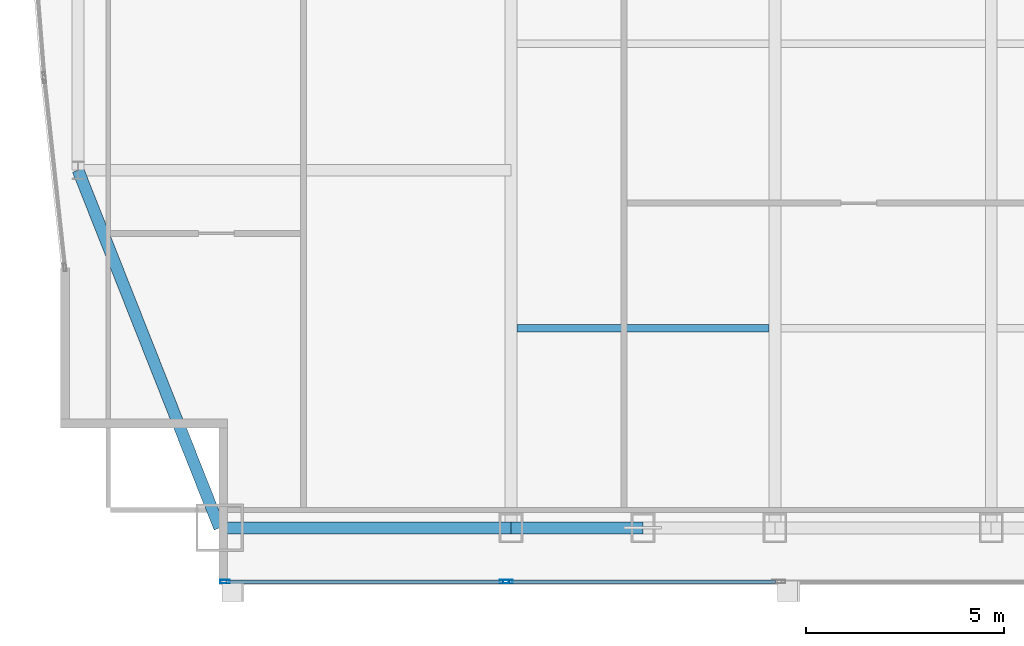
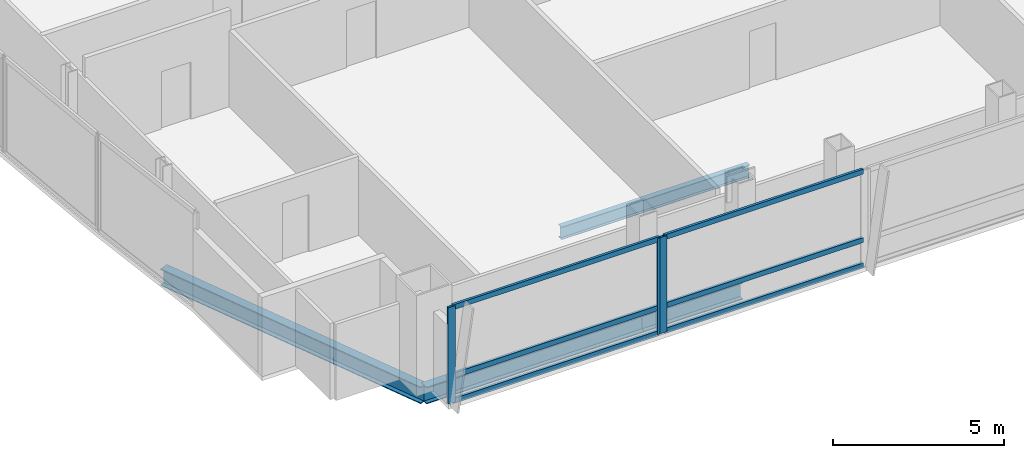
# One storey, part 5 of 32: 9 members, 4 beams, 2 elements without a shape of their own.
"""IFC4 building model written with IfcOpenShell, lengths in metres."""

from ifc_helpers import new_model, si_unit, direction, frame, origin, origin_2d, place, context, subcontext, project, spatial, hollow_rectangle, i_section, extrude, material, material_profile, profile_set, type_object, element, aggregate, save


model = new_model("IFC4")

# Units and contexts
model_context = context("Model", 3, precision=1e-05, world=origin(), true_north=direction((0.0, 1.0)))
body_context = subcontext(model_context, "Body", "Model", "MODEL_VIEW")
ifc_project = project(units=[si_unit("LENGTHUNIT", "METRE"), si_unit("AREAUNIT", "SQUARE_METRE"), si_unit("VOLUMEUNIT", "CUBIC_METRE"), si_unit("PLANEANGLEUNIT", "RADIAN"), si_unit("MASSUNIT", "GRAM", prefix="KILO")], contexts=[model_context])

# Site, building, storey
site_placement = place(None, origin())
site = spatial("IfcSite", under=ifc_project, at=site_placement, CompositionType="ELEMENT")
building_placement = place(site_placement, origin())
building = spatial("IfcBuilding", under=site, at=building_placement, Name="Khoronbel Lancet Exchange", CompositionType="ELEMENT")
storey_placement = place(building_placement, frame((0.0, 0.0, 195.800048828125)))
storey = spatial("IfcBuildingStorey", under=building, at=storey_placement, Name="L49", CompositionType="ELEMENT", Elevation=195.800048828125)

# Beams
ifc_material_1 = material(Name="Steel S355", Category="steel")
ifc_material_profile_1 = material_profile(ifc_material_1, i_section(OverallWidth=0.18994140625, OverallDepth=0.449951171875, WebThickness=0.009521484375, FlangeThickness=0.0146484375, at=origin_2d()), Name="IPE 450")
ifc_profile_set_1 = profile_set([ifc_material_profile_1], Name="Steel S355")
beam_type_1 = type_object("IfcBeamType", Name="BM-BJ4", PredefinedType="JOIST", material=ifc_profile_set_1)
beam_1_placement = place(storey_placement, frame((18.375, 15.199951171875, -0.385009765625), z_axis=(1.0, 0.0, 0.0), x_axis=(0.0, 1.0, 0.0)))
element("IfcBeam", 1, at=beam_1_placement, inside=storey, type_object=beam_type_1, Name="Level L49 secondary composite joist J01", PredefinedType="JOIST", context=body_context, shape_type="SweptSolid", body=[
    extrude(i_section(OverallWidth=0.18994140625, OverallDepth=0.449951171875, WebThickness=0.009521484375, FlangeThickness=0.0146484375, at=origin_2d()), origin(), (0.0, 0.0, 1.0), 6.375),
])
ifc_material_profile_2 = material_profile(ifc_material_1, i_section(OverallWidth=0.300048828125, OverallDepth=0.60009765625, WebThickness=0.015380859375, FlangeThickness=0.030029296875, at=origin_2d()), Name="HEB 600")
ifc_profile_set_2 = profile_set([ifc_material_profile_2], Name="Steel S355")
beam_type_2 = type_object("IfcBeamType", Name="BM-BSP2", PredefinedType="SPANDREL", material=ifc_profile_set_2)
beam_2_placement = place(storey_placement, frame((10.85009765625, 10.14990234375, -0.4599609375), z_axis=(1.0, 0.0, 0.0), x_axis=(0.0, 1.0, 0.0)))
element("IfcBeam", 2, at=beam_2_placement, inside=storey, type_object=beam_type_2, Name="Level L49 perimeter spandrel beam SP01", PredefinedType="SPANDREL", context=body_context, shape_type="SweptSolid", body=[
    extrude(i_section(OverallWidth=0.300048828125, OverallDepth=0.60009765625, WebThickness=0.015380859375, FlangeThickness=0.030029296875, at=origin_2d()), origin(), (0.0, 0.0, 1.0), 7.375),
])
beam_3_placement = place(storey_placement, frame((18.22509765625, 10.14990234375, -0.4599609375), z_axis=(1.0, 0.0, 0.0), x_axis=(0.0, 1.0, 0.0)))
element("IfcBeam", 3, at=beam_3_placement, inside=storey, type_object=beam_type_2, Name="Level L49 perimeter spandrel beam SP02", PredefinedType="SPANDREL", context=body_context, shape_type="SweptSolid", body=[
    extrude(i_section(OverallWidth=0.300048828125, OverallDepth=0.60009765625, WebThickness=0.015380859375, FlangeThickness=0.030029296875, at=origin_2d()), origin(), (0.0, 0.0, 1.0), 3.33740234375),
])
beam_4_placement = place(storey_placement, frame((7.27001953125, 19.199951171875, -0.4599609375), z_axis=(0.367850095026, -0.92988510451, 0.0), x_axis=(0.92988510451, 0.367850095026, 0.0)))
element("IfcBeam", 4, at=beam_4_placement, inside=storey, type_object=beam_type_2, Name="Level L49 perimeter spandrel beam SP21", PredefinedType="SPANDREL", context=body_context, shape_type="SweptSolid", body=[
    extrude(i_section(OverallWidth=0.300048828125, OverallDepth=0.60009765625, WebThickness=0.015380859375, FlangeThickness=0.030029296875, at=origin_2d()), origin(), (0.0, 0.0, 1.0), 9.732421875),
])

# Curtain wall, members
ifc_material_2 = material(Name="Low-E Solar Control Insulating Glass", Category="glass")
curtain_wall_type = type_object("IfcCurtainWallType", Name="CW-3", PredefinedType="NOTDEFINED", material=ifc_material_2)
curtain_wall_1_placement = place(storey_placement, origin())
curtain_wall_1 = element("IfcCurtainWall", 5, at=curtain_wall_1_placement, inside=storey, type_object=curtain_wall_type, Name="Unitised curtain wall CW-L49-SWV", PredefinedType="NOTDEFINED")
ifc_material_3 = material(Name="Bronze-Anodised Aluminium 6063-T6", Category="aluminium")
ifc_material_profile_3 = material_profile(ifc_material_3, hollow_rectangle(XDim=0.0849609375, YDim=0.239990234375, WallThickness=0.006103515625, at=origin_2d()), Name="ALU MULLION 85x240")
ifc_profile_set_3 = profile_set([ifc_material_profile_3], Name="Bronze-Anodised Aluminium 6063-T6")
member_type_1 = type_object("IfcMemberType", Name="MEM-CWM1", PredefinedType="MULLION", material=ifc_profile_set_3)
member_1_placement = place(storey_placement, frame((10.982421875, 8.7900390625, 0.0), z_axis=(0.0, 0.0, 1.0), x_axis=(0.0, 1.0, 0.0)))
member_1 = element("IfcMember", 6, at=member_1_placement, type_object=member_type_1, Name="CW3 mullion 1", PredefinedType="MULLION", context=body_context, shape_type="SweptSolid", body=[
    extrude(hollow_rectangle(XDim=0.0849609375, YDim=0.239990234375, WallThickness=0.006103515625, at=origin_2d()), origin(), (0.0, 0.0, 1.0), 3.43994140625),
])
member_2_placement = place(storey_placement, frame((18.0576171875, 8.7900390625, 0.0), z_axis=(0.0, 0.0, 1.0), x_axis=(0.0, 1.0, 0.0)))
member_2 = element("IfcMember", 7, at=member_2_placement, type_object=member_type_1, Name="CW3 mullion 2", PredefinedType="MULLION", context=body_context, shape_type="SweptSolid", body=[
    extrude(hollow_rectangle(XDim=0.0849609375, YDim=0.239990234375, WallThickness=0.006103515625, at=origin_2d()), origin(), (0.0, 0.0, 1.0), 3.43994140625),
])

# Curtain wall, member
curtain_wall_2_placement = place(storey_placement, origin())
curtain_wall_2 = element("IfcCurtainWall", 8, at=curtain_wall_2_placement, inside=storey, type_object=curtain_wall_type, Name="Unitised curtain wall CW-L49-SWB", PredefinedType="NOTDEFINED")
member_3_placement = place(storey_placement, frame((18.142578125, 8.7900390625, 0.0), z_axis=(0.0, 0.0, 1.0), x_axis=(0.0, 1.0, 0.0)))
member_3 = element("IfcMember", 9, at=member_3_placement, type_object=member_type_1, Name="CW3 mullion 1", PredefinedType="MULLION", context=body_context, shape_type="SweptSolid", body=[
    extrude(hollow_rectangle(XDim=0.0849609375, YDim=0.239990234375, WallThickness=0.006103515625, at=origin_2d()), origin(), (0.0, 0.0, 1.0), 3.43994140625),
])

# Member
ifc_material_profile_4 = material_profile(ifc_material_3, hollow_rectangle(XDim=0.0849609375, YDim=0.179931640625, WallThickness=0.0048828125, at=origin_2d()), Name="ALU TRANSOM 85x180")
ifc_profile_set_4 = profile_set([ifc_material_profile_4], Name="Bronze-Anodised Aluminium 6063-T6")
member_type_2 = type_object("IfcMemberType", Name="MEM-CWT1", PredefinedType="USERDEFINED", material=ifc_profile_set_4)
member_4_placement = place(storey_placement, frame((11.02490234375, 8.7900390625, 0.04248046875), z_axis=(1.0, 0.0, 0.0), x_axis=(0.0, 1.0, 0.0)))
member_4 = element("IfcMember", 10, at=member_4_placement, type_object=member_type_2, Name="CW3 transom 1.1", ObjectType="TRANSOM", PredefinedType="USERDEFINED", context=body_context, shape_type="SweptSolid", body=[
    extrude(hollow_rectangle(XDim=0.0849609375, YDim=0.179931640625, WallThickness=0.0048828125, at=origin_2d()), origin(), (0.0, 0.0, 1.0), 6.989990234375),
])

member_5_placement = place(storey_placement, frame((11.02490234375, 8.7900390625, 0.949951171875), z_axis=(1.0, 0.0, 0.0), x_axis=(0.0, 1.0, 0.0)))
member_5 = element("IfcMember", 11, at=member_5_placement, type_object=member_type_2, Name="CW3 transom 1.2", ObjectType="TRANSOM", PredefinedType="USERDEFINED", context=body_context, shape_type="SweptSolid", body=[
    extrude(hollow_rectangle(XDim=0.0849609375, YDim=0.179931640625, WallThickness=0.0048828125, at=origin_2d()), origin(), (0.0, 0.0, 1.0), 6.989990234375),
])

member_6_placement = place(storey_placement, frame((11.02490234375, 8.7900390625, 3.3974609375), z_axis=(1.0, 0.0, 0.0), x_axis=(0.0, 1.0, 0.0)))
member_6 = element("IfcMember", 12, at=member_6_placement, type_object=member_type_2, Name="CW3 transom 1.3", ObjectType="TRANSOM", PredefinedType="USERDEFINED", context=body_context, shape_type="SweptSolid", body=[
    extrude(hollow_rectangle(XDim=0.0849609375, YDim=0.179931640625, WallThickness=0.0048828125, at=origin_2d()), origin(), (0.0, 0.0, 1.0), 6.989990234375),
])

aggregate(curtain_wall_1, [member_1, member_2, member_4, member_5, member_6])

member_7_placement = place(storey_placement, frame((18.18505859375, 8.7900390625, 0.04248046875), z_axis=(1.0, 0.0, 0.0), x_axis=(0.0, 1.0, 0.0)))
member_7 = element("IfcMember", 13, at=member_7_placement, type_object=member_type_2, Name="CW3 transom 1.1", ObjectType="TRANSOM", PredefinedType="USERDEFINED", context=body_context, shape_type="SweptSolid", body=[
    extrude(hollow_rectangle(XDim=0.0849609375, YDim=0.179931640625, WallThickness=0.0048828125, at=origin_2d()), origin(), (0.0, 0.0, 1.0), 6.72998046875),
])

member_8_placement = place(storey_placement, frame((18.18505859375, 8.7900390625, 0.949951171875), z_axis=(1.0, 0.0, 0.0), x_axis=(0.0, 1.0, 0.0)))
member_8 = element("IfcMember", 14, at=member_8_placement, type_object=member_type_2, Name="CW3 transom 1.2", ObjectType="TRANSOM", PredefinedType="USERDEFINED", context=body_context, shape_type="SweptSolid", body=[
    extrude(hollow_rectangle(XDim=0.0849609375, YDim=0.179931640625, WallThickness=0.0048828125, at=origin_2d()), origin(), (0.0, 0.0, 1.0), 6.72998046875),
])

member_9_placement = place(storey_placement, frame((18.18505859375, 8.7900390625, 3.3974609375), z_axis=(1.0, 0.0, 0.0), x_axis=(0.0, 1.0, 0.0)))
member_9 = element("IfcMember", 15, at=member_9_placement, type_object=member_type_2, Name="CW3 transom 1.3", ObjectType="TRANSOM", PredefinedType="USERDEFINED", context=body_context, shape_type="SweptSolid", body=[
    extrude(hollow_rectangle(XDim=0.0849609375, YDim=0.179931640625, WallThickness=0.0048828125, at=origin_2d()), origin(), (0.0, 0.0, 1.0), 6.72998046875),
])

aggregate(curtain_wall_2, [member_3, member_7, member_8, member_9])

save(model, "model.ifc")
